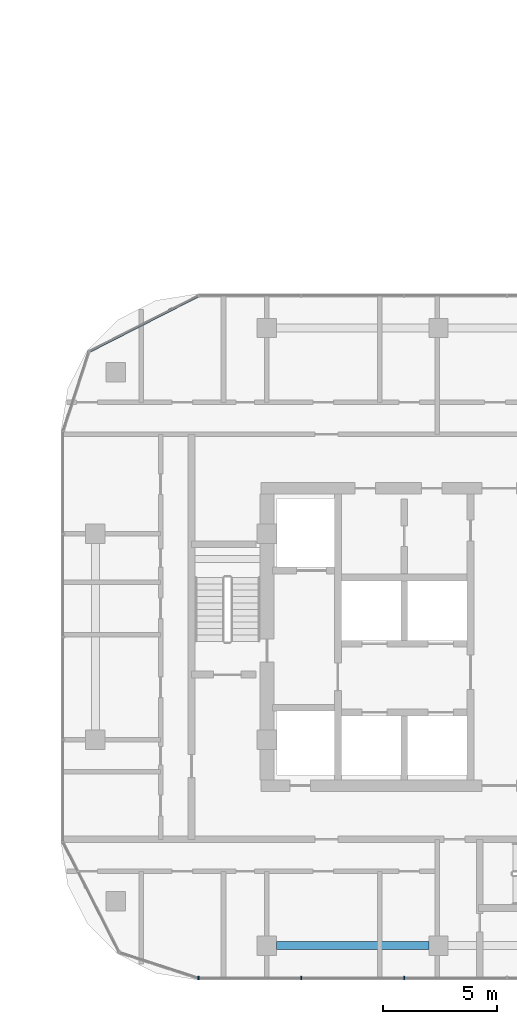
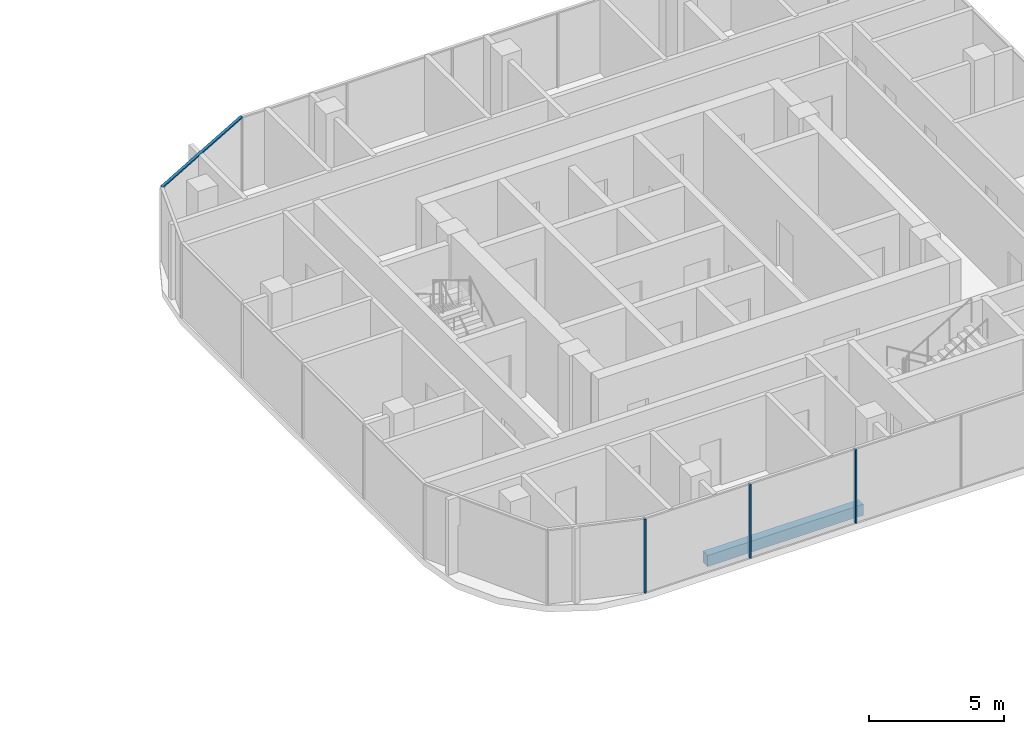
# One storey, part 8 of 31: 4 members, 1 beam, 2 elements without a shape of their own.
"""IFC4 building model written with IfcOpenShell, lengths in metres."""

from ifc_helpers import new_model, si_unit, direction, frame, origin, origin_2d, place, context, subcontext, project, spatial, rectangle, extrude, material, material_profile, profile_set, type_object, element, aggregate, save


model = new_model("IFC4")

# Units and contexts
model_context = context("Model", 3, precision=1e-05, world=origin(), true_north=direction((0.0, 1.0)))
body_context = subcontext(model_context, "Body", "Model", "MODEL_VIEW")
ifc_project = project(units=[si_unit("LENGTHUNIT", "METRE"), si_unit("AREAUNIT", "SQUARE_METRE"), si_unit("VOLUMEUNIT", "CUBIC_METRE"), si_unit("PLANEANGLEUNIT", "RADIAN"), si_unit("MASSUNIT", "GRAM", prefix="KILO")], contexts=[model_context])

# Site, building, storey
site_placement = place(None, origin())
site = spatial("IfcSite", under=ifc_project, at=site_placement, CompositionType="ELEMENT")
building_placement = place(site_placement, origin())
building = spatial("IfcBuilding", under=site, at=building_placement, Name="Ogive Portal Towers", CompositionType="ELEMENT")
storey_placement = place(building_placement, frame((0.0, 0.0, 74.199951171875)))
storey = spatial("IfcBuildingStorey", under=building, at=storey_placement, Name="L17", CompositionType="ELEMENT", Elevation=74.199951171875)

# Curtain wall, members
ifc_material_1 = material(Name="Glass, clear low-iron insulated glazing", Category="glass")
curtain_wall_type = type_object("IfcCurtainWallType", Name="CW RESIDENCES RIBBON", PredefinedType="NOTDEFINED", material=ifc_material_1)
curtain_wall_1_placement = place(storey_placement, origin())
curtain_wall_1 = element("IfcCurtainWall", 1, at=curtain_wall_1_placement, inside=storey, type_object=curtain_wall_type, Name="B:L17:f02:cw0", PredefinedType="NOTDEFINED")
ifc_material_2 = material(Name="Aluminium 6063 anodised", Category="aluminium")
ifc_material_profile_1 = material_profile(ifc_material_2, rectangle(XDim=0.159912109375, YDim=0.06005859375, at=origin_2d()), Name="AL 60x160")
ifc_profile_set_1 = profile_set([ifc_material_profile_1], Name="Aluminium 6063 anodised")
member_type_1 = type_object("IfcMemberType", Name="CW MULLION 60x160", PredefinedType="MULLION", material=ifc_profile_set_1)
member_1_placement = place(storey_placement, frame((126.0126953125, 16.080078125, 0.0), z_axis=(0.0, 0.0, 1.0), x_axis=(0.0, 1.0, 0.0)))
member_1 = element("IfcMember", 2, at=member_1_placement, type_object=member_type_1, Name="mullion", PredefinedType="MULLION", context=body_context, shape_type="SweptSolid", body=[
    extrude(rectangle(XDim=0.159912109375, YDim=0.06005859375, at=origin_2d()), origin(), (0.0, 0.0, 1.0), 3.340087890625),
])
member_2_placement = place(storey_placement, frame((130.5, 16.080078125, 0.0), z_axis=(0.0, 0.0, 1.0), x_axis=(0.0, 1.0, 0.0)))
member_2 = element("IfcMember", 3, at=member_2_placement, type_object=member_type_1, Name="mullion", PredefinedType="MULLION", context=body_context, shape_type="SweptSolid", body=[
    extrude(rectangle(XDim=0.159912109375, YDim=0.06005859375, at=origin_2d()), origin(), (0.0, 0.0, 1.0), 3.340087890625),
])
member_3_placement = place(storey_placement, frame((135.0, 16.080078125, 0.0), z_axis=(0.0, 0.0, 1.0), x_axis=(0.0, 1.0, 0.0)))
member_3 = element("IfcMember", 4, at=member_3_placement, type_object=member_type_1, Name="mullion", PredefinedType="MULLION", context=body_context, shape_type="SweptSolid", body=[
    extrude(rectangle(XDim=0.159912109375, YDim=0.06005859375, at=origin_2d()), origin(), (0.0, 0.0, 1.0), 3.340087890625),
])
aggregate(curtain_wall_1, [member_1, member_2, member_3])

# Curtain wall, member
curtain_wall_2_placement = place(storey_placement, origin())
curtain_wall_2 = element("IfcCurtainWall", 5, at=curtain_wall_2_placement, inside=storey, type_object=curtain_wall_type, Name="B:L17:f09:cwa", PredefinedType="NOTDEFINED")
ifc_material_profile_2 = material_profile(ifc_material_2, rectangle(XDim=0.1201171875, YDim=0.06005859375, at=origin_2d()), Name="AL 120x60")
ifc_profile_set_2 = profile_set([ifc_material_profile_2], Name="Aluminium 6063 anodised")
member_type_2 = type_object("IfcMemberType", Name="CW TRANSOM 60x120", PredefinedType="USERDEFINED", material=ifc_profile_set_2)
member_4_placement = place(storey_placement, frame((126.019287109375, 45.919921875, 3.3701171875), z_axis=(-0.891017050983, -0.453969839149, 0.0), x_axis=(0.453969839149, -0.891017050983, 0.0)))
member_4 = element("IfcMember", 6, at=member_4_placement, type_object=member_type_2, Name="transom", ObjectType="TRANSOM", PredefinedType="USERDEFINED", context=body_context, shape_type="SweptSolid", body=[
    extrude(rectangle(XDim=0.1201171875, YDim=0.06005859375, at=origin_2d()), origin(), (0.0, 0.0, 1.0), 5.395751953125),
])
aggregate(curtain_wall_2, [member_4])

# Beam
ifc_material_3 = material(Name="Concrete C50/60", Category="concrete")
ifc_material_profile_3 = material_profile(ifc_material_3, rectangle(XDim=0.35009765625, YDim=0.5, at=origin_2d()), Name="RC 350x500")
ifc_profile_set_3 = profile_set([ifc_material_profile_3], Name="Concrete C50/60")
beam_type = type_object("IfcBeamType", Name="SPANDREL BEAM RC 350x500", PredefinedType="BEAM", material=ifc_profile_set_3)
beam_placement = place(storey_placement, frame((129.425048828125, 17.5, -0.550048828125), z_axis=(1.0, 0.0, 0.0), x_axis=(0.0, 1.0, 0.0)))
element("IfcBeam", 7, at=beam_placement, inside=storey, type_object=beam_type, Name="Spandrel beam L17", PredefinedType="BEAM", context=body_context, shape_type="SweptSolid", body=[
    extrude(rectangle(XDim=0.35009765625, YDim=0.5, at=origin_2d()), origin(), (0.0, 0.0, 1.0), 6.64990234375),
])

save(model, "model.ifc")
